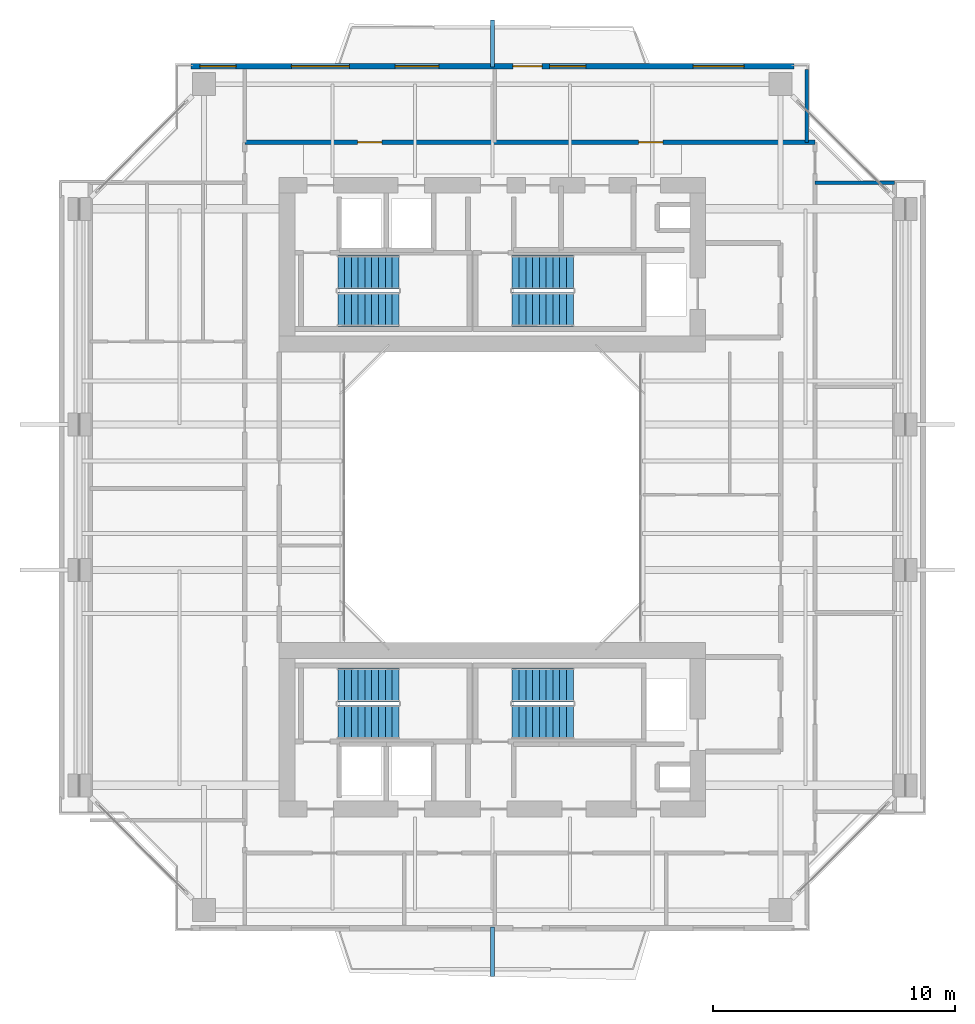
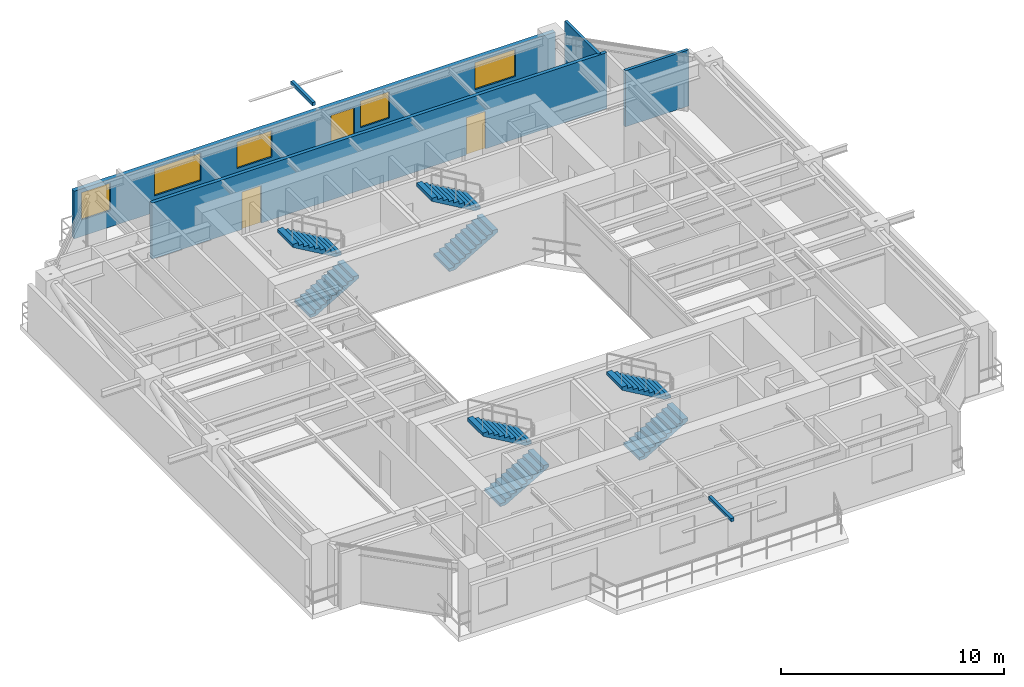
# One storey, part 11 of 14: 8 stair flights, 5 windows, 4 walls, 3 doors, 2 discrete accessories, 8 openings, 4 elements without a shape of their own.
"""IFC4 building model written with IfcOpenShell, lengths in metres."""

from ifc_helpers import new_model, si_unit, direction, frame, frame_2d, origin, origin_2d, place, context, subcontext, project, spatial, polyline, rectangle, outline, extrude, source, transform, mapped, material, layer, layer_set, type_object, element, fill, aggregate, save


model = new_model("IFC4")

# Units and contexts
model_context = context("Model", 3, precision=1e-05, world=origin(), true_north=direction((0.0, 1.0)))
body_context = subcontext(model_context, "Body", "Model", "MODEL_VIEW")
ifc_project = project(units=[si_unit("LENGTHUNIT", "METRE"), si_unit("AREAUNIT", "SQUARE_METRE"), si_unit("VOLUMEUNIT", "CUBIC_METRE"), si_unit("PLANEANGLEUNIT", "RADIAN"), si_unit("MASSUNIT", "GRAM", prefix="KILO"), si_unit("THERMODYNAMICTEMPERATUREUNIT", "KELVIN"), si_unit("POWERUNIT", "WATT")], contexts=[model_context])

# Site, building, storey
site_placement = place(None, origin())
site = spatial("IfcSite", under=ifc_project, at=site_placement, CompositionType="ELEMENT")
building_placement = place(site_placement, origin())
building = spatial("IfcBuilding", under=site, at=building_placement, Name="Qiaomeng Ring Towers", CompositionType="ELEMENT")
storey_placement = place(building_placement, frame((0.0, 0.0, 176.25)))
storey = spatial("IfcBuildingStorey", under=building, at=storey_placement, Name="L51", CompositionType="ELEMENT", Elevation=176.25)

# Wall, openings, windows, door
ifc_material_1 = material(Name="Precast concrete C40", Category="concrete")
ifc_layer_1 = layer(ifc_material_1, 0.219970703125, Name="Precast concrete C40")
ifc_layer_set_1 = layer_set([ifc_layer_1], Name="Precast concrete C40")
wall_type_1 = type_object("IfcWallType", Name="ARC-WL-EW2", PredefinedType="STANDARD", material=ifc_layer_set_1)
wall_1_placement = place(storey_placement, frame((6.550048828125, 40.7900390625, 0.0), z_axis=(0.0, 0.0, 1.0), x_axis=(1.0, 0.0, 0.0)))
wall_1 = element("IfcWall", 1, at=wall_1_placement, inside=storey, type_object=wall_type_1, Name="L51 Tower 1 N Exterior Wall", PredefinedType="STANDARD", context=body_context, shape_type="SweptSolid", body=[
    extrude(rectangle(XDim=24.89990234375, YDim=0.219970703125, at=frame_2d((12.449951171875, 0.0))), origin(), (0.0, 0.0, 1.0), 2.610107421875),
])
opening_1_placement = place(wall_1_placement, frame((13.300048828125, 0.0, 0.0)))
opening_1 = element("IfcOpeningElement", 2, at=opening_1_placement, cuts=wall_1, Name="Opening BD1", PredefinedType="OPENING", context=body_context, shape_type="SweptSolid", body=[
    extrude(rectangle(XDim=1.199951171875, YDim=2.10009765625, at=frame_2d((0.60009765625, 1.050048828125))), frame((0.0, 0.119873046875, 0.0), z_axis=(0.0, -1.0, 0.0), x_axis=(1.0, 0.0, 0.0)), (0.0, 0.0, 1.0), 0.239990234375),
])
opening_2_placement = place(wall_1_placement, frame((0.37255859375, 0.0, 0.89990234375)))
opening_2 = element("IfcOpeningElement", 3, at=opening_2_placement, cuts=wall_1, Name="Opening WN2", PredefinedType="OPENING", context=body_context, shape_type="SweptSolid", body=[
    extrude(rectangle(XDim=1.5, YDim=1.5, at=frame_2d((0.75, 0.75))), frame((0.0, 0.119873046875, 0.0), z_axis=(0.0, -1.0, 0.0), x_axis=(1.0, 0.0, 0.0)), (0.0, 0.0, 1.0), 0.239990234375),
])
opening_3_placement = place(wall_1_placement, frame((8.43798828125, 0.0, 0.89990234375)))
opening_3 = element("IfcOpeningElement", 4, at=opening_3_placement, cuts=wall_1, Name="Opening WN1", PredefinedType="OPENING", context=body_context, shape_type="SweptSolid", body=[
    extrude(rectangle(XDim=1.800048828125, YDim=1.449951171875, at=frame_2d((0.89990234375, 0.72509765625))), frame((0.0, 0.119873046875, 0.0), z_axis=(0.0, -1.0, 0.0), x_axis=(1.0, 0.0, 0.0)), (0.0, 0.0, 1.0), 0.239990234375),
])
opening_4_placement = place(wall_1_placement, frame((14.81298828125, 0.0, 0.89990234375)))
opening_4 = element("IfcOpeningElement", 5, at=opening_4_placement, cuts=wall_1, Name="Opening WN2", PredefinedType="OPENING", context=body_context, shape_type="SweptSolid", body=[
    extrude(rectangle(XDim=1.5, YDim=1.449951171875, at=frame_2d((0.75, 0.72509765625))), frame((0.0, 0.119873046875, 0.0), z_axis=(0.0, -1.0, 0.0), x_axis=(1.0, 0.0, 0.0)), (0.0, 0.0, 1.0), 0.239990234375),
])
opening_5_placement = place(wall_1_placement, frame((20.738037109375, 0.0, 0.89990234375)))
opening_5 = element("IfcOpeningElement", 6, at=opening_5_placement, cuts=wall_1, Name="Opening WN4", PredefinedType="OPENING", context=body_context, shape_type="SweptSolid", body=[
    extrude(rectangle(XDim=2.10009765625, YDim=1.47998046875, at=frame_2d((1.050048828125, 0.739990234375))), frame((0.0, 0.119873046875, 0.0), z_axis=(0.0, -1.0, 0.0), x_axis=(1.0, 0.0, 0.0)), (0.0, 0.0, 1.0), 0.239990234375),
])
opening_6_placement = place(wall_1_placement, frame((4.151611328125, 0.0, 0.89990234375)))
opening_6 = element("IfcOpeningElement", 7, at=opening_6_placement, cuts=wall_1, Name="Opening WN6", PredefinedType="OPENING", context=body_context, shape_type="SweptSolid", body=[
    extrude(rectangle(XDim=2.39990234375, YDim=1.5, at=frame_2d((1.199951171875, 0.75))), frame((0.0, 0.119873046875, 0.0), z_axis=(0.0, -1.0, 0.0), x_axis=(1.0, 0.0, 0.0)), (0.0, 0.0, 1.0), 0.239990234375),
])
ifc_material_2 = material(Name="Low-E dark-grey laminated double glazing", Category="glass")
window_type_1 = type_object("IfcWindowType", Name="ARC-WN-2", PartitioningType="DOUBLE_PANEL_VERTICAL", PredefinedType="WINDOW", material=ifc_material_2)
shared_shape_1 = source(origin(), body_context, "Body", "SweptSolid", [
    extrude(rectangle(XDim=1.5, YDim=1.449951171875, at=frame_2d((0.75, 0.72509765625))), frame((0.0, 0.030029296875, 0.0), z_axis=(0.0, -1.0, 0.0), x_axis=(1.0, 0.0, 0.0)), (0.0, 0.0, 1.0), 0.06005859375),
])
window_1_placement = place(opening_4_placement, origin())
window_1 = element("IfcWindow", 8, at=window_1_placement, inside=storey, type_object=window_type_1, Name="L51 Exterior Window WN2", OverallHeight=1.449951171875, OverallWidth=1.5, PartitioningType="DOUBLE_PANEL_VERTICAL", PredefinedType="WINDOW", context=body_context, shape_type="MappedRepresentation", body=[
    mapped(shared_shape_1, transform((0.0, 0.0, 0.0), x_axis=(1.0, 0.0, 0.0), y_axis=(0.0, 1.0, 0.0), z_axis=(0.0, 0.0, 1.0), scale=1.0)),
])
fill(opening_4, window_1)
window_type_2 = type_object("IfcWindowType", Name="ARC-WN-4", PartitioningType="TRIPLE_PANEL_VERTICAL", PredefinedType="WINDOW", material=ifc_material_2)
shared_shape_2 = source(origin(), body_context, "Body", "SweptSolid", [
    extrude(rectangle(XDim=2.10009765625, YDim=1.47998046875, at=frame_2d((1.050048828125, 0.739990234375))), frame((0.0, 0.030029296875, 0.0), z_axis=(0.0, -1.0, 0.0), x_axis=(1.0, 0.0, 0.0)), (0.0, 0.0, 1.0), 0.06005859375),
])
window_2_placement = place(opening_5_placement, origin())
window_2 = element("IfcWindow", 9, at=window_2_placement, inside=storey, type_object=window_type_2, Name="L51 Exterior Window WN4", OverallHeight=1.47998046875, OverallWidth=2.10009765625, PartitioningType="TRIPLE_PANEL_VERTICAL", PredefinedType="WINDOW", context=body_context, shape_type="MappedRepresentation", body=[
    mapped(shared_shape_2, transform((0.0, 0.0, 0.0), x_axis=(1.0, 0.0, 0.0), y_axis=(0.0, 1.0, 0.0), z_axis=(0.0, 0.0, 1.0), scale=1.0)),
])
fill(opening_5, window_2)
window_type_3 = type_object("IfcWindowType", Name="ARC-WN-1", PartitioningType="DOUBLE_PANEL_VERTICAL", PredefinedType="WINDOW", material=ifc_material_2)
shared_shape_3 = source(origin(), body_context, "Body", "SweptSolid", [
    extrude(rectangle(XDim=1.800048828125, YDim=1.449951171875, at=frame_2d((0.89990234375, 0.72509765625))), frame((0.0, 0.030029296875, 0.0), z_axis=(0.0, -1.0, 0.0), x_axis=(1.0, 0.0, 0.0)), (0.0, 0.0, 1.0), 0.06005859375),
])
window_3_placement = place(opening_3_placement, origin())
window_3 = element("IfcWindow", 10, at=window_3_placement, inside=storey, type_object=window_type_3, Name="L51 Exterior Window WN1", OverallHeight=1.449951171875, OverallWidth=1.800048828125, PartitioningType="DOUBLE_PANEL_VERTICAL", PredefinedType="WINDOW", context=body_context, shape_type="MappedRepresentation", body=[
    mapped(shared_shape_3, transform((0.0, 0.0, 0.0), x_axis=(1.0, 0.0, 0.0), y_axis=(0.0, 1.0, 0.0), z_axis=(0.0, 0.0, 1.0), scale=1.0)),
])
fill(opening_3, window_3)
door_type_1 = type_object("IfcDoorType", Name="ARC-DR-BD1", OperationType="NOTDEFINED", PredefinedType="DOOR", material=ifc_material_2)
shared_shape_4 = source(origin(), body_context, "Body", "SweptSolid", [
    extrude(rectangle(XDim=1.199951171875, YDim=2.10009765625, at=frame_2d((0.60009765625, 1.050048828125))), frame((0.0, 0.02490234375, 0.0), z_axis=(0.0, -1.0, 0.0), x_axis=(1.0, 0.0, 0.0)), (0.0, 0.0, 1.0), 0.050048828125),
])
door_1_placement = place(opening_1_placement, origin())
door_1 = element("IfcDoor", 11, at=door_1_placement, inside=storey, type_object=door_type_1, Name="L51 N Balcony Glazed Door", OperationType="SINGLE_SWING_LEFT", OverallHeight=2.10009765625, OverallWidth=1.199951171875, PredefinedType="DOOR", context=body_context, shape_type="MappedRepresentation", body=[
    mapped(shared_shape_4, transform((0.0, 0.0, 0.0), x_axis=(1.0, 0.0, 0.0), y_axis=(0.0, 1.0, 0.0), z_axis=(0.0, 0.0, 1.0), scale=1.0)),
])
fill(opening_1, door_1)
shared_shape_5 = source(origin(), body_context, "Body", "SweptSolid", [
    extrude(rectangle(XDim=1.5, YDim=1.5, at=frame_2d((0.75, 0.75))), frame((0.0, 0.030029296875, 0.0), z_axis=(0.0, -1.0, 0.0), x_axis=(1.0, 0.0, 0.0)), (0.0, 0.0, 1.0), 0.06005859375),
])
window_4_placement = place(opening_2_placement, origin())
window_4 = element("IfcWindow", 12, at=window_4_placement, inside=storey, type_object=window_type_1, Name="L51 Exterior Window WN6", OverallHeight=1.5, OverallWidth=1.5, PartitioningType="TRIPLE_PANEL_VERTICAL", PredefinedType="WINDOW", context=body_context, shape_type="MappedRepresentation", body=[
    mapped(shared_shape_5, transform((0.0, 0.0, 0.0), x_axis=(1.0, 0.0, 0.0), y_axis=(0.0, 1.0, 0.0), z_axis=(0.0, 0.0, 1.0), scale=1.0)),
])
fill(opening_2, window_4)
window_type_4 = type_object("IfcWindowType", Name="ARC-WN-6", PartitioningType="TRIPLE_PANEL_VERTICAL", PredefinedType="WINDOW", material=ifc_material_2)
shared_shape_6 = source(origin(), body_context, "Body", "SweptSolid", [
    extrude(rectangle(XDim=2.39990234375, YDim=1.5, at=frame_2d((1.199951171875, 0.75))), frame((0.0, 0.030029296875, 0.0), z_axis=(0.0, -1.0, 0.0), x_axis=(1.0, 0.0, 0.0)), (0.0, 0.0, 1.0), 0.06005859375),
])
window_5_placement = place(opening_6_placement, origin())
window_5 = element("IfcWindow", 13, at=window_5_placement, inside=storey, type_object=window_type_4, Name="L51 Exterior Window WN6", OverallHeight=1.5, OverallWidth=2.39990234375, PartitioningType="TRIPLE_PANEL_VERTICAL", PredefinedType="WINDOW", context=body_context, shape_type="MappedRepresentation", body=[
    mapped(shared_shape_6, transform((0.0, 0.0, 0.0), x_axis=(1.0, 0.0, 0.0), y_axis=(0.0, 1.0, 0.0), z_axis=(0.0, 0.0, 1.0), scale=1.0)),
])
fill(opening_6, window_5)

# Wall, openings, doors
ifc_material_3 = material(Name="Autoclaved aerated concrete block", Category="concrete")
ifc_layer_2 = layer(ifc_material_3, 0.179931640625, Name="Autoclaved aerated concrete block")
ifc_layer_set_2 = layer_set([ifc_layer_2], Name="Autoclaved aerated concrete block")
wall_type_2 = type_object("IfcWallType", Name="ARC-WL-PW2", PredefinedType="PARTITIONING", material=ifc_layer_set_2)
wall_2_placement = place(storey_placement, frame((8.780029296875, 37.64990234375, 0.0), z_axis=(0.0, 0.0, 1.0), x_axis=(1.0, 0.0, 0.0)))
wall_2 = element("IfcWall", 14, at=wall_2_placement, inside=storey, type_object=wall_type_2, Name="L51 Interior Wall PW2", PredefinedType="PARTITIONING", context=body_context, shape_type="SweptSolid", body=[
    extrude(rectangle(XDim=23.5400390625, YDim=0.179931640625, at=frame_2d((11.77001953125, 0.0))), origin(), (0.0, 0.0, 1.0), 3.070068359375),
])
opening_7_placement = place(wall_2_placement, frame((4.659912109375, 0.0, 0.0)))
opening_7 = element("IfcOpeningElement", 15, at=opening_7_placement, cuts=wall_2, Name="Opening FD4", PredefinedType="OPENING", context=body_context, shape_type="SweptSolid", body=[
    extrude(rectangle(XDim=1.0, YDim=2.050048828125, at=frame_2d((0.5, 1.02490234375))), frame((0.0, 0.099853515625, 0.0), z_axis=(0.0, -1.0, 0.0), x_axis=(1.0, 0.0, 0.0)), (0.0, 0.0, 1.0), 0.199951171875),
])
opening_8_placement = place(wall_2_placement, frame((16.260009765625, 0.0, 0.0)))
opening_8 = element("IfcOpeningElement", 16, at=opening_8_placement, cuts=wall_2, Name="Opening FD4", PredefinedType="OPENING", context=body_context, shape_type="SweptSolid", body=[
    extrude(rectangle(XDim=1.0, YDim=2.050048828125, at=frame_2d((0.5, 1.02490234375))), frame((0.0, 0.099853515625, 0.0), z_axis=(0.0, -1.0, 0.0), x_axis=(1.0, 0.0, 0.0)), (0.0, 0.0, 1.0), 0.199951171875),
])
ifc_material_4 = material(Name="Engineered fire-rated oak timber", Category="wood")
door_type_2 = type_object("IfcDoorType", Name="ARC-DR-FD4", OperationType="NOTDEFINED", PredefinedType="DOOR", material=ifc_material_4)
shared_shape_7 = source(origin(), body_context, "Body", "SweptSolid", [
    extrude(rectangle(XDim=1.0, YDim=2.050048828125, at=frame_2d((0.5, 1.02490234375))), frame((0.0, 0.02490234375, 0.0), z_axis=(0.0, -1.0, 0.0), x_axis=(1.0, 0.0, 0.0)), (0.0, 0.0, 1.0), 0.050048828125),
])
door_2_placement = place(opening_7_placement, origin())
door_2 = element("IfcDoor", 17, at=door_2_placement, inside=storey, type_object=door_type_2, Name="L51 Door FD4", OperationType="SINGLE_SWING_RIGHT", OverallHeight=2.050048828125, OverallWidth=1.0, PredefinedType="DOOR", context=body_context, shape_type="MappedRepresentation", body=[
    mapped(shared_shape_7, transform((0.0, 0.0, 0.0), x_axis=(1.0, 0.0, 0.0), y_axis=(0.0, 1.0, 0.0), z_axis=(0.0, 0.0, 1.0), scale=1.0)),
])
fill(opening_7, door_2)
door_3_placement = place(opening_8_placement, origin())
door_3 = element("IfcDoor", 18, at=door_3_placement, inside=storey, type_object=door_type_2, Name="L51 Door FD4", OperationType="SINGLE_SWING_LEFT", OverallHeight=2.050048828125, OverallWidth=1.0, PredefinedType="DOOR", context=body_context, shape_type="MappedRepresentation", body=[
    mapped(shared_shape_7, transform((0.0, 0.0, 0.0), x_axis=(1.0, 0.0, 0.0), y_axis=(0.0, 1.0, 0.0), z_axis=(0.0, 0.0, 1.0), scale=1.0)),
])
fill(opening_8, door_3)

# Walls
ifc_material_5 = material(Name="Gypsum fireboard steel-stud partition", Category="steel")
ifc_layer_3 = layer(ifc_material_5, 0.14990234375, Name="Gypsum fireboard steel-stud partition")
ifc_layer_set_3 = layer_set([ifc_layer_3], Name="Gypsum fireboard steel-stud partition")
wall_type_3 = type_object("IfcWallType", Name="ARC-WL-PW3", PredefinedType="PARTITIONING", material=ifc_layer_set_3)
wall_3_placement = place(storey_placement, frame((31.97998046875, 37.64990234375, 0.0), z_axis=(0.0, 0.0, 1.0), x_axis=(0.0, 1.0, 0.0)))
element("IfcWall", 19, at=wall_3_placement, inside=storey, type_object=wall_type_3, Name="L51 Interior Wall PW3", PredefinedType="PARTITIONING", context=body_context, shape_type="SweptSolid", body=[
    extrude(rectangle(XDim=3.0, YDim=0.14990234375, at=frame_2d((1.5, 0.0))), origin(), (0.0, 0.0, 1.0), 3.070068359375),
])
wall_4_placement = place(storey_placement, frame((32.320068359375, 35.97998046875, 0.0), z_axis=(0.0, 0.0, 1.0), x_axis=(1.0, 0.0, 0.0)))
element("IfcWall", 20, at=wall_4_placement, inside=storey, type_object=wall_type_3, Name="L51 Interior Wall PW3", PredefinedType="PARTITIONING", context=body_context, shape_type="SweptSolid", body=[
    extrude(rectangle(XDim=3.280029296875, YDim=0.14990234375, at=frame_2d((1.64013671875, 0.0))), origin(), (0.0, 0.0, 1.0), 3.070068359375),
])

# Stair, stair flights
stair_type = type_object("IfcStairType", Name="ARC-ST-325", PredefinedType="HALF_TURN_STAIR", material=ifc_material_1)
stair_1_placement = place(storey_placement, origin())
stair_1 = element("IfcStair", 21, at=stair_1_placement, inside=storey, type_object=stair_type, Name="L51 Tower 1 North Stair 1", PredefinedType="HALF_TURN_STAIR")
stair_flight_type = type_object("IfcStairFlightType", Name="ARC-ST-325-FL", PredefinedType="STRAIGHT", material=ifc_material_1)
shared_shape_8 = source(origin(), body_context, "Body", "SweptSolid", [
    extrude(outline(polyline([(0.0, 0.0), (0.0, 0.16259765625), (0.280029296875, 0.16259765625), (0.280029296875, 0.324951171875), (0.56005859375, 0.324951171875), (0.56005859375, 0.487548828125), (0.840087890625, 0.487548828125), (0.840087890625, 0.64990234375), (1.1201171875, 0.64990234375), (1.1201171875, 0.8125), (1.39990234375, 0.8125), (1.39990234375, 0.97509765625), (1.679931640625, 0.97509765625), (1.679931640625, 1.137451171875), (1.9599609375, 1.137451171875), (1.9599609375, 1.300048828125), (2.239990234375, 1.300048828125), (2.239990234375, 1.46240234375), (2.52001953125, 1.46240234375), (2.52001953125, 1.625), (2.52001953125, 1.2890625), (0.298583984375, 0.0), (0.0, 0.0)])), frame((0.0, 0.699951171875, 0.0), z_axis=(0.0, -1.0, 0.0), x_axis=(1.0, 0.0, 0.0)), (0.0, 0.0, 1.0), 1.39990234375),
])
stair_flight_1_placement = place(storey_placement, frame((12.6201171875, 30.75, 0.0), z_axis=(0.0, 0.0, 1.0), x_axis=(1.0, 0.0, 0.0)))
stair_flight_1 = element("IfcStairFlight", 22, at=stair_flight_1_placement, type_object=stair_flight_type, Name="ST1 flight 1", NumberOfRisers=10, NumberOfTreads=9, PredefinedType="STRAIGHT", RiserHeight=0.1625, TreadLength=0.28, context=body_context, shape_type="MappedRepresentation", body=[
    mapped(shared_shape_8, transform((0.0, 0.0, 0.0), x_axis=(1.0, 0.0, 0.0), y_axis=(0.0, 1.0, 0.0), z_axis=(0.0, 0.0, 1.0), scale=1.0)),
])
stair_flight_2_placement = place(storey_placement, frame((15.139892578125, 32.2900390625, 1.625), z_axis=(0.0, 0.0, 1.0), x_axis=(-1.0, 0.0, 0.0)))
stair_flight_2 = element("IfcStairFlight", 23, at=stair_flight_2_placement, type_object=stair_flight_type, Name="ST1 flight 2", NumberOfRisers=10, NumberOfTreads=9, PredefinedType="STRAIGHT", RiserHeight=0.1625, TreadLength=0.28, context=body_context, shape_type="MappedRepresentation", body=[
    mapped(shared_shape_8, transform((0.0, 0.0, 0.0), x_axis=(1.0, 0.0, 0.0), y_axis=(0.0, 1.0, 0.0), z_axis=(0.0, 0.0, 1.0), scale=1.0)),
])
aggregate(stair_1, [stair_flight_1, stair_flight_2])

stair_2_placement = place(storey_placement, origin())
stair_2 = element("IfcStair", 24, at=stair_2_placement, inside=storey, type_object=stair_type, Name="L51 Tower 1 North Stair 2", PredefinedType="HALF_TURN_STAIR")
stair_flight_3_placement = place(storey_placement, frame((19.820068359375, 30.75, 0.0), z_axis=(0.0, 0.0, 1.0), x_axis=(1.0, 0.0, 0.0)))
stair_flight_3 = element("IfcStairFlight", 25, at=stair_flight_3_placement, type_object=stair_flight_type, Name="ST2 flight 1", NumberOfRisers=10, NumberOfTreads=9, PredefinedType="STRAIGHT", RiserHeight=0.1625, TreadLength=0.28, context=body_context, shape_type="MappedRepresentation", body=[
    mapped(shared_shape_8, transform((0.0, 0.0, 0.0), x_axis=(1.0, 0.0, 0.0), y_axis=(0.0, 1.0, 0.0), z_axis=(0.0, 0.0, 1.0), scale=1.0)),
])
stair_flight_4_placement = place(storey_placement, frame((22.340087890625, 32.2900390625, 1.625), z_axis=(0.0, 0.0, 1.0), x_axis=(-1.0, 0.0, 0.0)))
stair_flight_4 = element("IfcStairFlight", 26, at=stair_flight_4_placement, type_object=stair_flight_type, Name="ST2 flight 2", NumberOfRisers=10, NumberOfTreads=9, PredefinedType="STRAIGHT", RiserHeight=0.1625, TreadLength=0.28, context=body_context, shape_type="MappedRepresentation", body=[
    mapped(shared_shape_8, transform((0.0, 0.0, 0.0), x_axis=(1.0, 0.0, 0.0), y_axis=(0.0, 1.0, 0.0), z_axis=(0.0, 0.0, 1.0), scale=1.0)),
])
aggregate(stair_2, [stair_flight_3, stair_flight_4])

stair_3_placement = place(storey_placement, origin())
stair_3 = element("IfcStair", 27, at=stair_3_placement, inside=storey, type_object=stair_type, Name="L51 Tower 1 South Stair 3", PredefinedType="HALF_TURN_STAIR")
stair_flight_5_placement = place(storey_placement, frame((12.6201171875, 13.7099609375, 0.0), z_axis=(0.0, 0.0, 1.0), x_axis=(1.0, 0.0, 0.0)))
stair_flight_5 = element("IfcStairFlight", 28, at=stair_flight_5_placement, type_object=stair_flight_type, Name="ST3 flight 1", NumberOfRisers=10, NumberOfTreads=9, PredefinedType="STRAIGHT", RiserHeight=0.1625, TreadLength=0.28, context=body_context, shape_type="MappedRepresentation", body=[
    mapped(shared_shape_8, transform((0.0, 0.0, 0.0), x_axis=(1.0, 0.0, 0.0), y_axis=(0.0, 1.0, 0.0), z_axis=(0.0, 0.0, 1.0), scale=1.0)),
])
stair_flight_6_placement = place(storey_placement, frame((15.139892578125, 15.25, 1.625), z_axis=(0.0, 0.0, 1.0), x_axis=(-1.0, 0.0, 0.0)))
stair_flight_6 = element("IfcStairFlight", 29, at=stair_flight_6_placement, type_object=stair_flight_type, Name="ST3 flight 2", NumberOfRisers=10, NumberOfTreads=9, PredefinedType="STRAIGHT", RiserHeight=0.1625, TreadLength=0.28, context=body_context, shape_type="MappedRepresentation", body=[
    mapped(shared_shape_8, transform((0.0, 0.0, 0.0), x_axis=(1.0, 0.0, 0.0), y_axis=(0.0, 1.0, 0.0), z_axis=(0.0, 0.0, 1.0), scale=1.0)),
])
aggregate(stair_3, [stair_flight_5, stair_flight_6])

stair_4_placement = place(storey_placement, origin())
stair_4 = element("IfcStair", 30, at=stair_4_placement, inside=storey, type_object=stair_type, Name="L51 Tower 1 South Stair 4", PredefinedType="HALF_TURN_STAIR")
stair_flight_7_placement = place(storey_placement, frame((19.820068359375, 13.7099609375, 0.0), z_axis=(0.0, 0.0, 1.0), x_axis=(1.0, 0.0, 0.0)))
stair_flight_7 = element("IfcStairFlight", 31, at=stair_flight_7_placement, type_object=stair_flight_type, Name="ST4 flight 1", NumberOfRisers=10, NumberOfTreads=9, PredefinedType="STRAIGHT", RiserHeight=0.1625, TreadLength=0.28, context=body_context, shape_type="MappedRepresentation", body=[
    mapped(shared_shape_8, transform((0.0, 0.0, 0.0), x_axis=(1.0, 0.0, 0.0), y_axis=(0.0, 1.0, 0.0), z_axis=(0.0, 0.0, 1.0), scale=1.0)),
])
stair_flight_8_placement = place(storey_placement, frame((22.340087890625, 15.25, 1.625), z_axis=(0.0, 0.0, 1.0), x_axis=(-1.0, 0.0, 0.0)))
stair_flight_8 = element("IfcStairFlight", 32, at=stair_flight_8_placement, type_object=stair_flight_type, Name="ST4 flight 2", NumberOfRisers=10, NumberOfTreads=9, PredefinedType="STRAIGHT", RiserHeight=0.1625, TreadLength=0.28, context=body_context, shape_type="MappedRepresentation", body=[
    mapped(shared_shape_8, transform((0.0, 0.0, 0.0), x_axis=(1.0, 0.0, 0.0), y_axis=(0.0, 1.0, 0.0), z_axis=(0.0, 0.0, 1.0), scale=1.0)),
])
aggregate(stair_4, [stair_flight_7, stair_flight_8])

# Discrete accessories
ifc_material_6 = material(Name="Stainless steel 316", Category="steel")
discrete_accessory_type = type_object("IfcDiscreteAccessoryType", Name="ARC-ACC-BRACKET", PredefinedType="BRACKET", material=ifc_material_6)
shared_shape_9 = source(origin(), body_context, "Body", "SweptSolid", [
    extrude(rectangle(XDim=0.159912109375, YDim=2.030029296875, at=origin_2d()), origin(), (0.0, 0.0, 1.0), 0.179931640625),
])
discrete_accessory_1_placement = place(storey_placement, frame((19.0, 4.235107421875, 2.89990234375), z_axis=(0.0, 0.0, 1.0), x_axis=(1.0, 0.0, 0.0)))
element("IfcDiscreteAccessory", 33, at=discrete_accessory_1_placement, inside=storey, type_object=discrete_accessory_type, Name="L51 Stainless Outer-Skin Tie Bracket S", PredefinedType="BRACKET", context=body_context, shape_type="MappedRepresentation", body=[
    mapped(shared_shape_9, transform((0.0, 0.0, 0.0), x_axis=(1.0, 0.0, 0.0), y_axis=(0.0, 1.0, 0.0), z_axis=(0.0, 0.0, 1.0), scale=1.0)),
])
shared_shape_10 = source(origin(), body_context, "Body", "SweptSolid", [
    extrude(rectangle(XDim=0.159912109375, YDim=1.949951171875, at=origin_2d()), origin(), (0.0, 0.0, 1.0), 0.179931640625),
])
discrete_accessory_2_placement = place(storey_placement, frame((19.0, 41.72509765625, 2.89990234375), z_axis=(0.0, 0.0, 1.0), x_axis=(1.0, 0.0, 0.0)))
element("IfcDiscreteAccessory", 34, at=discrete_accessory_2_placement, inside=storey, type_object=discrete_accessory_type, Name="L51 Stainless Outer-Skin Tie Bracket N", PredefinedType="BRACKET", context=body_context, shape_type="MappedRepresentation", body=[
    mapped(shared_shape_10, transform((0.0, 0.0, 0.0), x_axis=(1.0, 0.0, 0.0), y_axis=(0.0, 1.0, 0.0), z_axis=(0.0, 0.0, 1.0), scale=1.0)),
])

save(model, "model.ifc")
